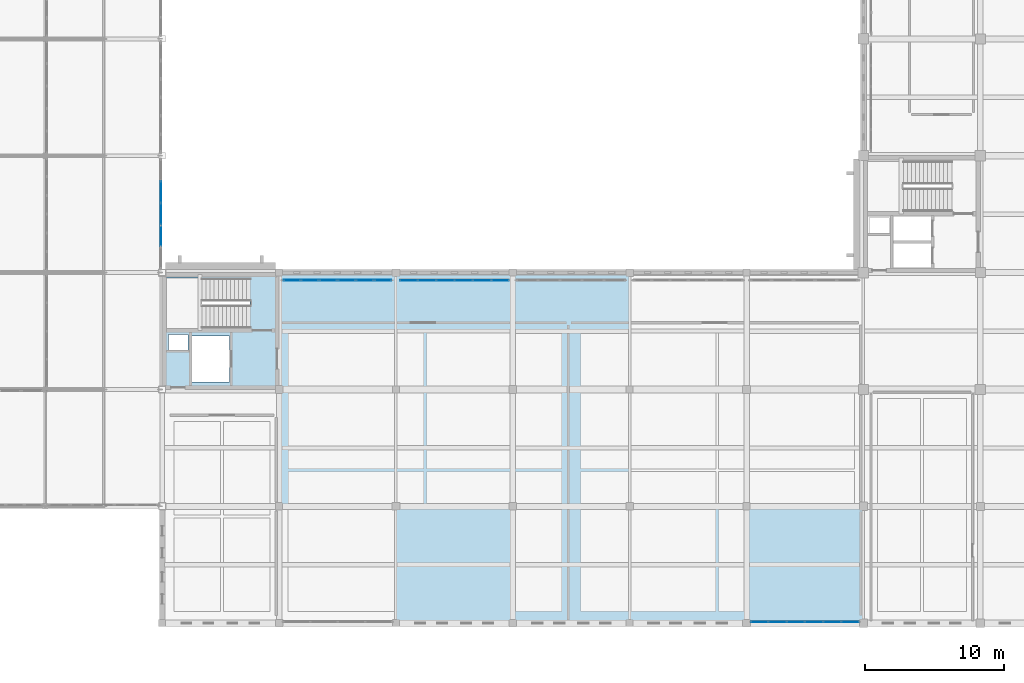
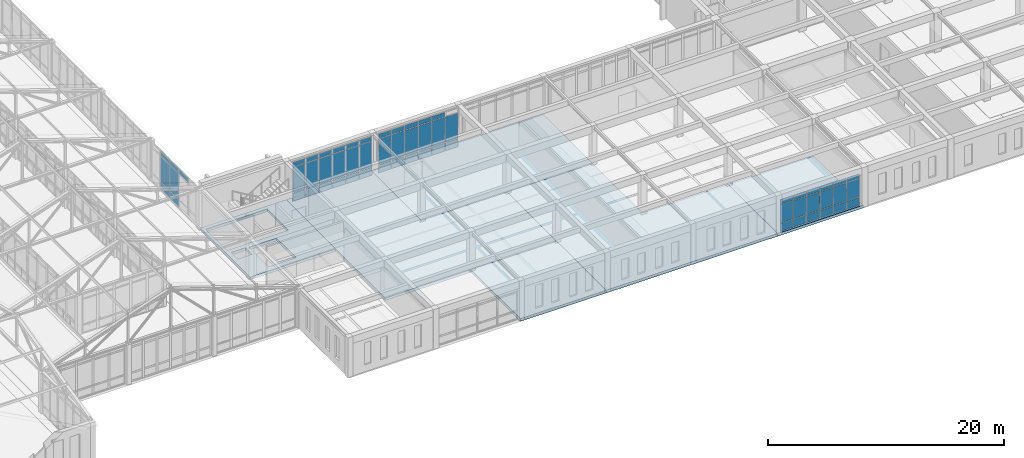
# One storey, part 116 of 192: 60 plates, 6 slabs, 4 elements without a shape of their own.
"""IFC4 building model written with IfcOpenShell, lengths in metres."""

import ifcopenshell
import ifcopenshell.guid

model = None  # the IFC model being written
_history = None  # IfcOwnerHistory: only IFC2X3 demands one
_inside = {}  # id of a spatial element -> (the spatial element, [elements in it])
_under = {}  # id of a project, library or spatial element -> (it, [spatial elements below it])
_declared = {}  # id of a project -> (the project, [libraries it declares])
_typed = {}  # id of a type object -> (the type object, [elements of that type])
_made_of = {}  # id of a material, layer set ... -> (it, [elements and type objects made of it])


def new_model(schema):
    """Start an empty IFC model of exactly this schema.

    Asked for "IFC4X3", IfcOpenShell would pick the latest addendum, in which some entities
    have other attributes; the version numbers below select the first issue.
    IFC2X3 requires an IfcOwnerHistory on every rooted entity: one is made here for all.
    """
    global model, _history
    if schema == "IFC4X3":
        model = ifcopenshell.file(schema_version=(4, 3, 0, 0))
    else:
        model = ifcopenshell.file(schema=schema)
    _inside.clear()
    _under.clear()
    _declared.clear()
    _typed.clear()
    _made_of.clear()
    _history = None
    if model.schema == "IFC2X3":
        org = make("IfcOrganization", Name="unknown")
        user = make(
            "IfcPersonAndOrganization",
            ThePerson=make("IfcPerson", FamilyName="unknown"),
            TheOrganization=org,
        )
        app = make(
            "IfcApplication",
            ApplicationDeveloper=org,
            Version="unknown",
            ApplicationFullName="unknown",
            ApplicationIdentifier="unknown",
        )
        _history = make(
            "IfcOwnerHistory",
            OwningUser=user,
            OwningApplication=app,
            ChangeAction="ADDED",
            CreationDate=0,
        )
    return model


def make(cls, **values):
    """One entity of the class cls with the attributes given. An attribute that is None is left unset."""
    return model.create_entity(
        cls, **{name: value for name, value in values.items() if value is not None}
    )


def rooted(cls, **values):
    """An entity with a GlobalId (a new one), such as an element, a storey or a relation."""
    return make(cls, GlobalId=ifcopenshell.guid.new(), OwnerHistory=_history, **values)


def si_unit(unit_type, name, prefix=None):
    """IfcSIUnit, for example si_unit("LENGTHUNIT", "METRE", prefix="MILLI")."""
    return make("IfcSIUnit", UnitType=unit_type, Prefix=prefix, Name=name)


def assignment(units):
    """IfcUnitAssignment: the units of a project."""
    return None if units is None else make("IfcUnitAssignment", Units=units)


def point(xyz):
    """IfcCartesianPoint."""
    return None if xyz is None else make("IfcCartesianPoint", Coordinates=xyz)


def direction(xyz):
    """IfcDirection."""
    return None if xyz is None else make("IfcDirection", DirectionRatios=xyz)


def frame(location, z_axis=None, x_axis=None):
    """IfcAxis2Placement3D, a coordinate frame: its origin and axes. An axis left out is left unset."""
    return make(
        "IfcAxis2Placement3D",
        Location=point(location),
        Axis=direction(z_axis),
        RefDirection=direction(x_axis),
    )


def frame_2d(location, x_axis=None):
    """IfcAxis2Placement2D, a coordinate frame in the plane: its origin and x axis."""
    return make(
        "IfcAxis2Placement2D", Location=point(location), RefDirection=direction(x_axis)
    )


def origin():
    """The frame at (0, 0, 0) with its axes left unset."""
    return frame((0.0, 0.0, 0.0))


def origin_2d():
    """The frame at (0, 0) in the plane with its x axis left unset."""
    return frame_2d((0.0, 0.0))


def place(relative_to, where):
    """IfcLocalPlacement: puts the frame where relative to a parent placement (None: the world)."""
    return make(
        "IfcLocalPlacement", PlacementRelTo=relative_to, RelativePlacement=where
    )


def context(
    kind, dimensions, precision=None, world=None, true_north=None, identifier=None
):
    """IfcGeometricRepresentationContext, for example the 3D "Model" context."""
    return make(
        "IfcGeometricRepresentationContext",
        ContextIdentifier=identifier,
        ContextType=kind,
        CoordinateSpaceDimension=dimensions,
        Precision=precision,
        WorldCoordinateSystem=world,
        TrueNorth=true_north,
    )


def subcontext(parent, identifier, kind, view, scale=None):
    """IfcGeometricRepresentationSubContext, for example "Body" below "Model"."""
    return make(
        "IfcGeometricRepresentationSubContext",
        ContextIdentifier=identifier,
        ContextType=kind,
        ParentContext=parent,
        TargetScale=scale,
        TargetView=view,
    )


def project(units=None, contexts=None):
    """IfcProject with its units and contexts."""
    return rooted(
        "IfcProject",
        Name="project",
        RepresentationContexts=contexts,
        UnitsInContext=assignment(units),
    )


def spatial(cls, under=None, at=None, **own):
    """A site, building, storey or space (cls), placed at a placement, below another one or the project."""
    s = rooted(cls, ObjectPlacement=at, **own)
    if under is not None:
        _under.setdefault(under.id(), (under, []))[1].append(s)
    return s


def polyline(points):
    """IfcPolyline through the points."""
    return make("IfcPolyline", Points=[point(p) for p in points])


def profile(cls, at=None, kind="AREA", **sizes):
    """A parametric profile (cls). Its sizes go by their IFC names, for example OverallWidth=200.0."""
    return make(cls, ProfileType=kind, Position=at, **sizes)


def rectangle(**sizes):
    """IfcRectangleProfileDef."""
    return profile("IfcRectangleProfileDef", **sizes)


def outline(outer, holes=None, kind="AREA"):
    """IfcArbitraryClosedProfileDef: a profile drawn as a closed curve; with holes, ...WithVoids."""
    if holes is None:
        return make("IfcArbitraryClosedProfileDef", ProfileType=kind, OuterCurve=outer)
    return make(
        "IfcArbitraryProfileDefWithVoids",
        ProfileType=kind,
        OuterCurve=outer,
        InnerCurves=holes,
    )


def extrude(swept, where, along, depth):
    """IfcExtrudedAreaSolid: the profile swept, set in the frame where, extruded along a direction by depth."""
    return make(
        "IfcExtrudedAreaSolid",
        SweptArea=swept,
        Position=where,
        ExtrudedDirection=direction(along),
        Depth=depth,
    )


def shape(context_of_items, identifier, shape_type, items):
    """IfcShapeRepresentation: the items that make up one representation, for example the "Body"."""
    return make(
        "IfcShapeRepresentation",
        ContextOfItems=context_of_items,
        RepresentationIdentifier=identifier,
        RepresentationType=shape_type,
        Items=items,
    )


def material(Name=None, Category=None):
    """IfcMaterial."""
    return make("IfcMaterial", Name=Name, Category=Category)


def layer(
    of_material, thickness, ventilated=None, Name=None, Category=None, Priority=None
):
    """IfcMaterialLayer: one layer of a wall or slab, of a material (None: an air gap)."""
    return make(
        "IfcMaterialLayer",
        Material=of_material,
        LayerThickness=thickness,
        IsVentilated=ventilated,
        Name=Name,
        Category=Category,
        Priority=Priority,
    )


def layer_set(layers, Name=None):
    """IfcMaterialLayerSet."""
    return make("IfcMaterialLayerSet", MaterialLayers=layers, LayerSetName=Name)


def made_of(thing, what):
    """Note that an element or type object is made of a material, layer set ...; save() writes the relation."""
    if what is not None:
        _made_of.setdefault(what.id(), (what, []))[1].append(thing)
    return thing


def type_object(cls, material=None, **own):
    """A type object (cls), such as IfcWallType, which elements share."""
    return made_of(rooted(cls, **own), material)


def element(
    cls,
    number,
    at=None,
    inside=None,
    cuts=None,
    type_object=None,
    material=None,
    context=None,
    identifier="Body",
    shape_type=None,
    held_by="IfcProductDefinitionShape",
    body=None,
    shapes=None,
    **own,
):
    """One element of the class cls, such as IfcWall. Its Tag is "e" and its number.

    at: its placement. inside: the storey or other place that contains it. cuts: it is an
    opening in that element (IfcRelVoidsElement). A single representation is given by context,
    identifier, shape_type and body (its items); several are given by shapes. held_by: the class
    of the entity that holds the representations. save() writes the other relations.
    """
    e = rooted(cls, Tag="e%d" % number, ObjectPlacement=at, **own)
    if body is not None:
        shapes = [shape(context, identifier, shape_type, body)]
    if shapes is not None:
        e.Representation = make(held_by, Representations=shapes)
    if inside is not None:
        _inside.setdefault(inside.id(), (inside, []))[1].append(e)
    if cuts is not None:
        rooted(
            "IfcRelVoidsElement", RelatingBuildingElement=cuts, RelatedOpeningElement=e
        )
    if type_object is not None:
        _typed.setdefault(type_object.id(), (type_object, []))[1].append(e)
    return made_of(e, material)


def aggregate(whole, parts):
    """IfcRelAggregates: a whole, such as a stair, and the parts it consists of."""
    return rooted("IfcRelAggregates", RelatingObject=whole, RelatedObjects=parts)


def save(model, path):
    """Write the relations noted so far, then the file.

    IfcRelAggregates (storeys below a building ...), IfcRelContainedInSpatialStructure (elements
    in a storey), IfcRelDefinesByType, IfcRelAssociatesMaterial and IfcRelDeclares: one each for
    every whole, place, type object, material and project.
    """
    for whole, parts in _under.values():
        aggregate(whole, parts)
    for where, things in _inside.values():
        rooted(
            "IfcRelContainedInSpatialStructure",
            RelatedElements=things,
            RelatingStructure=where,
        )
    for kind, things in _typed.values():
        rooted("IfcRelDefinesByType", RelatedObjects=things, RelatingType=kind)
    for what, things in _made_of.values():
        rooted("IfcRelAssociatesMaterial", RelatedObjects=things, RelatingMaterial=what)
    for by, libraries in _declared.values():
        rooted("IfcRelDeclares", RelatingContext=by, RelatedDefinitions=libraries)
    model.write(path)


model = new_model("IFC4")

# Units and contexts
model_context = context("Model", 3, precision=1e-05, world=origin(), true_north=direction((0.0, 1.0)))
body_context = subcontext(model_context, "Body", "Model", "MODEL_VIEW")
ifc_project = project(units=[si_unit("LENGTHUNIT", "METRE"), si_unit("AREAUNIT", "SQUARE_METRE"), si_unit("VOLUMEUNIT", "CUBIC_METRE"), si_unit("PLANEANGLEUNIT", "RADIAN"), si_unit("MASSUNIT", "GRAM", prefix="KILO")], contexts=[model_context])

# Site, building, storey
site_placement = place(None, origin())
site = spatial("IfcSite", under=ifc_project, at=site_placement, CompositionType="ELEMENT")
building_placement = place(site_placement, origin())
building = spatial("IfcBuilding", under=site, at=building_placement, Name="Kveldsbrygga Polytechnic", CompositionType="ELEMENT")
storey_placement = place(building_placement, frame((0.0, 0.0, 5.43994140625)))
storey = spatial("IfcBuildingStorey", under=building, at=storey_placement, Name="L01", CompositionType="ELEMENT", Elevation=5.43994140625)

# Curtain wall, plates
ifc_material_1 = material(Name="Anodised aluminium AW-6060", Category="aluminium")
ifc_layer_1 = layer(ifc_material_1, 0.18994140625)
ifc_layer_set_1 = layer_set([ifc_layer_1], Name="Anodised aluminium AW-6060")
curtain_wall_type_1 = type_object("IfcCurtainWallType", Name="CW-REFC-G", PredefinedType="USERDEFINED", material=ifc_layer_set_1)
curtain_wall_1_placement = place(storey_placement, origin())
curtain_wall_1 = element("IfcCurtainWall", 1, at=curtain_wall_1_placement, inside=storey, type_object=curtain_wall_type_1, Name="Curtain Wall CW-L01-Y-09-03", ObjectType="UNITISED CURTAIN WALL", PredefinedType="USERDEFINED")
ifc_material_2 = material(Name="Insulated triple low-E glass", Category="glass")
ifc_layer_2 = layer(ifc_material_2, 0.035888671875)
ifc_layer_set_2 = layer_set([ifc_layer_2], Name="Insulated triple low-E glass")
plate_type_1 = type_object("IfcPlateType", Name="CW-PAN-VIS36", PredefinedType="CURTAIN_PANEL", material=ifc_layer_set_2)
plate_1_placement = place(storey_placement, frame((75.5, 27.83447265625, 3.60009765625), z_axis=(0.0, 0.0, 1.0), x_axis=(0.0, 1.0, 0.0)))
plate_1 = element("IfcPlate", 2, at=plate_1_placement, type_object=plate_type_1, Name="CW-07 panel 2.3", PredefinedType="CURTAIN_PANEL", context=body_context, shape_type="SweptSolid", body=[
    extrude(rectangle(XDim=1.508056640625, YDim=0.035888671875, at=origin_2d()), origin(), (0.0, 0.0, 1.0), 0.4599609375),
])
plate_2_placement = place(storey_placement, frame((75.5, 29.41748046875, 0.06005859375), z_axis=(0.0, 0.0, 1.0), x_axis=(0.0, 1.0, 0.0)))
plate_2 = element("IfcPlate", 3, at=plate_2_placement, type_object=plate_type_1, Name="CW-07 panel 3.1", PredefinedType="CURTAIN_PANEL", context=body_context, shape_type="SweptSolid", body=[
    extrude(rectangle(XDim=1.508056640625, YDim=0.035888671875, at=origin_2d()), origin(), (0.0, 0.0, 1.0), 0.81005859375),
])
plate_3_placement = place(storey_placement, frame((75.5, 29.41748046875, 0.93017578125), z_axis=(0.0, 0.0, 1.0), x_axis=(0.0, 1.0, 0.0)))
plate_3 = element("IfcPlate", 4, at=plate_3_placement, type_object=plate_type_1, Name="CW-07 panel 3.2", PredefinedType="CURTAIN_PANEL", context=body_context, shape_type="SweptSolid", body=[
    extrude(rectangle(XDim=1.508056640625, YDim=0.035888671875, at=origin_2d()), origin(), (0.0, 0.0, 1.0), 2.610107421875),
])
plate_4_placement = place(storey_placement, frame((75.5, 29.41748046875, 3.60009765625), z_axis=(0.0, 0.0, 1.0), x_axis=(0.0, 1.0, 0.0)))
plate_4 = element("IfcPlate", 5, at=plate_4_placement, type_object=plate_type_1, Name="CW-07 panel 3.3", PredefinedType="CURTAIN_PANEL", context=body_context, shape_type="SweptSolid", body=[
    extrude(rectangle(XDim=1.508056640625, YDim=0.035888671875, at=origin_2d()), origin(), (0.0, 0.0, 1.0), 0.4599609375),
])
plate_5_placement = place(storey_placement, frame((75.5, 31.00048828125, 0.06005859375), z_axis=(0.0, 0.0, 1.0), x_axis=(0.0, 1.0, 0.0)))
plate_5 = element("IfcPlate", 6, at=plate_5_placement, type_object=plate_type_1, Name="CW-07 panel 4.1", PredefinedType="CURTAIN_PANEL", context=body_context, shape_type="SweptSolid", body=[
    extrude(rectangle(XDim=1.508056640625, YDim=0.035888671875, at=origin_2d()), origin(), (0.0, 0.0, 1.0), 0.81005859375),
])
plate_6_placement = place(storey_placement, frame((75.5, 31.00048828125, 0.93017578125), z_axis=(0.0, 0.0, 1.0), x_axis=(0.0, 1.0, 0.0)))
plate_6 = element("IfcPlate", 7, at=plate_6_placement, type_object=plate_type_1, Name="CW-07 panel 4.2", PredefinedType="CURTAIN_PANEL", context=body_context, shape_type="SweptSolid", body=[
    extrude(rectangle(XDim=1.508056640625, YDim=0.035888671875, at=origin_2d()), origin(), (0.0, 0.0, 1.0), 2.610107421875),
])
plate_7_placement = place(storey_placement, frame((75.5, 31.00048828125, 3.60009765625), z_axis=(0.0, 0.0, 1.0), x_axis=(0.0, 1.0, 0.0)))
plate_7 = element("IfcPlate", 8, at=plate_7_placement, type_object=plate_type_1, Name="CW-07 panel 4.3", PredefinedType="CURTAIN_PANEL", context=body_context, shape_type="SweptSolid", body=[
    extrude(rectangle(XDim=1.508056640625, YDim=0.035888671875, at=origin_2d()), origin(), (0.0, 0.0, 1.0), 0.4599609375),
])
aggregate(curtain_wall_1, [plate_1, plate_2, plate_3, plate_4, plate_5, plate_6, plate_7])

ifc_layer_3 = layer(ifc_material_1, 0.179931640625)
ifc_layer_set_3 = layer_set([ifc_layer_3], Name="Anodised aluminium AW-6060")
curtain_wall_type_2 = type_object("IfcCurtainWallType", Name="CW-CONC-A", PredefinedType="USERDEFINED", material=ifc_layer_set_3)
curtain_wall_2_placement = place(storey_placement, origin())
curtain_wall_2 = element("IfcCurtainWall", 9, at=curtain_wall_2_placement, inside=storey, type_object=curtain_wall_type_2, Name="Curtain Wall CW-L01-X-11-03", ObjectType="UNITISED CURTAIN WALL", PredefinedType="USERDEFINED")
plate_8_placement = place(storey_placement, frame((93.3330078125, 24.64990234375, 0.06005859375), z_axis=(0.0, 0.0, 1.0), x_axis=(1.0, 0.0, 0.0)))
plate_8 = element("IfcPlate", 10, at=plate_8_placement, type_object=plate_type_1, Name="CW-01 panel 1.1", PredefinedType="CURTAIN_PANEL", context=body_context, shape_type="SweptSolid", body=[
    extrude(rectangle(XDim=1.225830078125, YDim=0.035888671875, at=origin_2d()), origin(), (0.0, 0.0, 1.0), 0.81005859375),
])
plate_9_placement = place(storey_placement, frame((93.3330078125, 24.64990234375, 0.93017578125), z_axis=(0.0, 0.0, 1.0), x_axis=(1.0, 0.0, 0.0)))
plate_9 = element("IfcPlate", 11, at=plate_9_placement, type_object=plate_type_1, Name="CW-01 panel 1.2", PredefinedType="CURTAIN_PANEL", context=body_context, shape_type="SweptSolid", body=[
    extrude(rectangle(XDim=1.225830078125, YDim=0.035888671875, at=origin_2d()), origin(), (0.0, 0.0, 1.0), 2.610107421875),
])
plate_10_placement = place(storey_placement, frame((93.3330078125, 24.64990234375, 3.60009765625), z_axis=(0.0, 0.0, 1.0), x_axis=(1.0, 0.0, 0.0)))
plate_10 = element("IfcPlate", 12, at=plate_10_placement, type_object=plate_type_1, Name="CW-01 panel 1.3", PredefinedType="CURTAIN_PANEL", context=body_context, shape_type="SweptSolid", body=[
    extrude(rectangle(XDim=1.225830078125, YDim=0.035888671875, at=origin_2d()), origin(), (0.0, 0.0, 1.0), 0.4599609375),
])
plate_11_placement = place(storey_placement, frame((94.6337890625, 24.64990234375, 0.06005859375), z_axis=(0.0, 0.0, 1.0), x_axis=(1.0, 0.0, 0.0)))
plate_11 = element("IfcPlate", 13, at=plate_11_placement, type_object=plate_type_1, Name="CW-01 panel 2.1", PredefinedType="CURTAIN_PANEL", context=body_context, shape_type="SweptSolid", body=[
    extrude(rectangle(XDim=1.255859375, YDim=0.035888671875, at=origin_2d()), origin(), (0.0, 0.0, 1.0), 0.81005859375),
])
plate_12_placement = place(storey_placement, frame((94.6337890625, 24.64990234375, 0.93017578125), z_axis=(0.0, 0.0, 1.0), x_axis=(1.0, 0.0, 0.0)))
plate_12 = element("IfcPlate", 14, at=plate_12_placement, type_object=plate_type_1, Name="CW-01 panel 2.2", PredefinedType="CURTAIN_PANEL", context=body_context, shape_type="SweptSolid", body=[
    extrude(rectangle(XDim=1.255859375, YDim=0.035888671875, at=origin_2d()), origin(), (0.0, 0.0, 1.0), 2.610107421875),
])
plate_13_placement = place(storey_placement, frame((94.6337890625, 24.64990234375, 3.60009765625), z_axis=(0.0, 0.0, 1.0), x_axis=(1.0, 0.0, 0.0)))
plate_13 = element("IfcPlate", 15, at=plate_13_placement, type_object=plate_type_1, Name="CW-01 panel 2.3", PredefinedType="CURTAIN_PANEL", context=body_context, shape_type="SweptSolid", body=[
    extrude(rectangle(XDim=1.255859375, YDim=0.035888671875, at=origin_2d()), origin(), (0.0, 0.0, 1.0), 0.4599609375),
])
plate_14_placement = place(storey_placement, frame((95.949462890625, 24.64990234375, 0.06005859375), z_axis=(0.0, 0.0, 1.0), x_axis=(1.0, 0.0, 0.0)))
plate_14 = element("IfcPlate", 16, at=plate_14_placement, type_object=plate_type_1, Name="CW-01 panel 3.1", PredefinedType="CURTAIN_PANEL", context=body_context, shape_type="SweptSolid", body=[
    extrude(rectangle(XDim=1.255859375, YDim=0.035888671875, at=origin_2d()), origin(), (0.0, 0.0, 1.0), 0.81005859375),
])
plate_15_placement = place(storey_placement, frame((95.949462890625, 24.64990234375, 0.93017578125), z_axis=(0.0, 0.0, 1.0), x_axis=(1.0, 0.0, 0.0)))
plate_15 = element("IfcPlate", 17, at=plate_15_placement, type_object=plate_type_1, Name="CW-01 panel 3.2", PredefinedType="CURTAIN_PANEL", context=body_context, shape_type="SweptSolid", body=[
    extrude(rectangle(XDim=1.255859375, YDim=0.035888671875, at=origin_2d()), origin(), (0.0, 0.0, 1.0), 2.610107421875),
])
plate_16_placement = place(storey_placement, frame((95.949462890625, 24.64990234375, 3.60009765625), z_axis=(0.0, 0.0, 1.0), x_axis=(1.0, 0.0, 0.0)))
plate_16 = element("IfcPlate", 18, at=plate_16_placement, type_object=plate_type_1, Name="CW-01 panel 3.3", PredefinedType="CURTAIN_PANEL", context=body_context, shape_type="SweptSolid", body=[
    extrude(rectangle(XDim=1.255859375, YDim=0.035888671875, at=origin_2d()), origin(), (0.0, 0.0, 1.0), 0.4599609375),
])
plate_17_placement = place(storey_placement, frame((97.265380859375, 24.64990234375, 0.06005859375), z_axis=(0.0, 0.0, 1.0), x_axis=(1.0, 0.0, 0.0)))
plate_17 = element("IfcPlate", 19, at=plate_17_placement, type_object=plate_type_1, Name="CW-01 panel 4.1", PredefinedType="CURTAIN_PANEL", context=body_context, shape_type="SweptSolid", body=[
    extrude(rectangle(XDim=1.255859375, YDim=0.035888671875, at=origin_2d()), origin(), (0.0, 0.0, 1.0), 0.81005859375),
])
plate_18_placement = place(storey_placement, frame((97.265380859375, 24.64990234375, 0.93017578125), z_axis=(0.0, 0.0, 1.0), x_axis=(1.0, 0.0, 0.0)))
plate_18 = element("IfcPlate", 20, at=plate_18_placement, type_object=plate_type_1, Name="CW-01 panel 4.2", PredefinedType="CURTAIN_PANEL", context=body_context, shape_type="SweptSolid", body=[
    extrude(rectangle(XDim=1.255859375, YDim=0.035888671875, at=origin_2d()), origin(), (0.0, 0.0, 1.0), 2.610107421875),
])
plate_19_placement = place(storey_placement, frame((97.265380859375, 24.64990234375, 3.60009765625), z_axis=(0.0, 0.0, 1.0), x_axis=(1.0, 0.0, 0.0)))
plate_19 = element("IfcPlate", 21, at=plate_19_placement, type_object=plate_type_1, Name="CW-01 panel 4.3", PredefinedType="CURTAIN_PANEL", context=body_context, shape_type="SweptSolid", body=[
    extrude(rectangle(XDim=1.255859375, YDim=0.035888671875, at=origin_2d()), origin(), (0.0, 0.0, 1.0), 0.4599609375),
])
plate_20_placement = place(storey_placement, frame((98.581298828125, 24.64990234375, 0.06005859375), z_axis=(0.0, 0.0, 1.0), x_axis=(1.0, 0.0, 0.0)))
plate_20 = element("IfcPlate", 22, at=plate_20_placement, type_object=plate_type_1, Name="CW-01 panel 5.1", PredefinedType="CURTAIN_PANEL", context=body_context, shape_type="SweptSolid", body=[
    extrude(rectangle(XDim=1.255859375, YDim=0.035888671875, at=origin_2d()), origin(), (0.0, 0.0, 1.0), 0.81005859375),
])
plate_21_placement = place(storey_placement, frame((98.581298828125, 24.64990234375, 0.93017578125), z_axis=(0.0, 0.0, 1.0), x_axis=(1.0, 0.0, 0.0)))
plate_21 = element("IfcPlate", 23, at=plate_21_placement, type_object=plate_type_1, Name="CW-01 panel 5.2", PredefinedType="CURTAIN_PANEL", context=body_context, shape_type="SweptSolid", body=[
    extrude(rectangle(XDim=1.255859375, YDim=0.035888671875, at=origin_2d()), origin(), (0.0, 0.0, 1.0), 2.610107421875),
])
plate_22_placement = place(storey_placement, frame((98.581298828125, 24.64990234375, 3.60009765625), z_axis=(0.0, 0.0, 1.0), x_axis=(1.0, 0.0, 0.0)))
plate_22 = element("IfcPlate", 24, at=plate_22_placement, type_object=plate_type_1, Name="CW-01 panel 5.3", PredefinedType="CURTAIN_PANEL", context=body_context, shape_type="SweptSolid", body=[
    extrude(rectangle(XDim=1.255859375, YDim=0.035888671875, at=origin_2d()), origin(), (0.0, 0.0, 1.0), 0.4599609375),
])
plate_23_placement = place(storey_placement, frame((99.882080078125, 24.64990234375, 0.06005859375), z_axis=(0.0, 0.0, 1.0), x_axis=(1.0, 0.0, 0.0)))
plate_23 = element("IfcPlate", 25, at=plate_23_placement, type_object=plate_type_1, Name="CW-01 panel 6.1", PredefinedType="CURTAIN_PANEL", context=body_context, shape_type="SweptSolid", body=[
    extrude(rectangle(XDim=1.225830078125, YDim=0.035888671875, at=origin_2d()), origin(), (0.0, 0.0, 1.0), 0.81005859375),
])
plate_24_placement = place(storey_placement, frame((99.882080078125, 24.64990234375, 0.93017578125), z_axis=(0.0, 0.0, 1.0), x_axis=(1.0, 0.0, 0.0)))
plate_24 = element("IfcPlate", 26, at=plate_24_placement, type_object=plate_type_1, Name="CW-01 panel 6.2", PredefinedType="CURTAIN_PANEL", context=body_context, shape_type="SweptSolid", body=[
    extrude(rectangle(XDim=1.225830078125, YDim=0.035888671875, at=origin_2d()), origin(), (0.0, 0.0, 1.0), 2.610107421875),
])
aggregate(curtain_wall_2, [plate_8, plate_9, plate_10, plate_11, plate_12, plate_13, plate_14, plate_15, plate_16, plate_17, plate_18, plate_19, plate_20, plate_21, plate_22, plate_23, plate_24])

curtain_wall_3_placement = place(storey_placement, origin())
curtain_wall_3 = element("IfcCurtainWall", 27, at=curtain_wall_3_placement, inside=storey, type_object=curtain_wall_type_2, Name="Curtain Wall CW-L01-X-14-00", ObjectType="UNITISED CURTAIN WALL", PredefinedType="USERDEFINED")
plate_25_placement = place(storey_placement, frame((118.530517578125, 0.10009765625, 0.06005859375), z_axis=(0.0, 0.0, 1.0), x_axis=(1.0, 0.0, 0.0)))
plate_25 = element("IfcPlate", 28, at=plate_25_placement, type_object=plate_type_1, Name="CW-01 panel 1.1", PredefinedType="CURTAIN_PANEL", context=body_context, shape_type="SweptSolid", body=[
    extrude(rectangle(XDim=1.220947265625, YDim=0.035888671875, at=origin_2d()), origin(), (0.0, 0.0, 1.0), 0.81005859375),
])
plate_26_placement = place(storey_placement, frame((118.530517578125, 0.10009765625, 0.929931640625), z_axis=(0.0, 0.0, 1.0), x_axis=(1.0, 0.0, 0.0)))
plate_26 = element("IfcPlate", 29, at=plate_26_placement, type_object=plate_type_1, Name="CW-01 panel 1.2", PredefinedType="CURTAIN_PANEL", context=body_context, shape_type="SweptSolid", body=[
    extrude(rectangle(XDim=1.220947265625, YDim=0.035888671875, at=origin_2d()), origin(), (0.0, 0.0, 1.0), 1.8701171875),
])
plate_27_placement = place(storey_placement, frame((118.530517578125, 0.10009765625, 2.860107421875), z_axis=(0.0, 0.0, 1.0), x_axis=(1.0, 0.0, 0.0)))
plate_27 = element("IfcPlate", 30, at=plate_27_placement, type_object=plate_type_1, Name="CW-01 panel 1.3", PredefinedType="CURTAIN_PANEL", context=body_context, shape_type="SweptSolid", body=[
    extrude(rectangle(XDim=1.220947265625, YDim=0.035888671875, at=origin_2d()), origin(), (0.0, 0.0, 1.0), 0.4599609375),
])
plate_28_placement = place(storey_placement, frame((119.826171875, 0.10009765625, 0.06005859375), z_axis=(0.0, 0.0, 1.0), x_axis=(1.0, 0.0, 0.0)))
plate_28 = element("IfcPlate", 31, at=plate_28_placement, type_object=plate_type_1, Name="CW-01 panel 2.1", PredefinedType="CURTAIN_PANEL", context=body_context, shape_type="SweptSolid", body=[
    extrude(rectangle(XDim=1.250732421875, YDim=0.035888671875, at=origin_2d()), origin(), (0.0, 0.0, 1.0), 0.81005859375),
])
plate_29_placement = place(storey_placement, frame((119.826171875, 0.10009765625, 0.929931640625), z_axis=(0.0, 0.0, 1.0), x_axis=(1.0, 0.0, 0.0)))
plate_29 = element("IfcPlate", 32, at=plate_29_placement, type_object=plate_type_1, Name="CW-01 panel 2.2", PredefinedType="CURTAIN_PANEL", context=body_context, shape_type="SweptSolid", body=[
    extrude(rectangle(XDim=1.250732421875, YDim=0.035888671875, at=origin_2d()), origin(), (0.0, 0.0, 1.0), 1.8701171875),
])
plate_30_placement = place(storey_placement, frame((119.826171875, 0.10009765625, 2.860107421875), z_axis=(0.0, 0.0, 1.0), x_axis=(1.0, 0.0, 0.0)))
plate_30 = element("IfcPlate", 33, at=plate_30_placement, type_object=plate_type_1, Name="CW-01 panel 2.3", PredefinedType="CURTAIN_PANEL", context=body_context, shape_type="SweptSolid", body=[
    extrude(rectangle(XDim=1.250732421875, YDim=0.035888671875, at=origin_2d()), origin(), (0.0, 0.0, 1.0), 0.4599609375),
])
plate_31_placement = place(storey_placement, frame((121.136962890625, 0.10009765625, 0.06005859375), z_axis=(0.0, 0.0, 1.0), x_axis=(1.0, 0.0, 0.0)))
plate_31 = element("IfcPlate", 34, at=plate_31_placement, type_object=plate_type_1, Name="CW-01 panel 3.1", PredefinedType="CURTAIN_PANEL", context=body_context, shape_type="SweptSolid", body=[
    extrude(rectangle(XDim=1.250732421875, YDim=0.035888671875, at=origin_2d()), origin(), (0.0, 0.0, 1.0), 0.81005859375),
])
plate_32_placement = place(storey_placement, frame((121.136962890625, 0.10009765625, 0.929931640625), z_axis=(0.0, 0.0, 1.0), x_axis=(1.0, 0.0, 0.0)))
plate_32 = element("IfcPlate", 35, at=plate_32_placement, type_object=plate_type_1, Name="CW-01 panel 3.2", PredefinedType="CURTAIN_PANEL", context=body_context, shape_type="SweptSolid", body=[
    extrude(rectangle(XDim=1.250732421875, YDim=0.035888671875, at=origin_2d()), origin(), (0.0, 0.0, 1.0), 1.8701171875),
])
plate_33_placement = place(storey_placement, frame((121.136962890625, 0.10009765625, 2.860107421875), z_axis=(0.0, 0.0, 1.0), x_axis=(1.0, 0.0, 0.0)))
plate_33 = element("IfcPlate", 36, at=plate_33_placement, type_object=plate_type_1, Name="CW-01 panel 3.3", PredefinedType="CURTAIN_PANEL", context=body_context, shape_type="SweptSolid", body=[
    extrude(rectangle(XDim=1.250732421875, YDim=0.035888671875, at=origin_2d()), origin(), (0.0, 0.0, 1.0), 0.4599609375),
])
plate_34_placement = place(storey_placement, frame((122.447998046875, 0.10009765625, 0.06005859375), z_axis=(0.0, 0.0, 1.0), x_axis=(1.0, 0.0, 0.0)))
plate_34 = element("IfcPlate", 37, at=plate_34_placement, type_object=plate_type_1, Name="CW-01 panel 4.1", PredefinedType="CURTAIN_PANEL", context=body_context, shape_type="SweptSolid", body=[
    extrude(rectangle(XDim=1.250732421875, YDim=0.035888671875, at=origin_2d()), origin(), (0.0, 0.0, 1.0), 0.81005859375),
])
plate_35_placement = place(storey_placement, frame((122.447998046875, 0.10009765625, 0.929931640625), z_axis=(0.0, 0.0, 1.0), x_axis=(1.0, 0.0, 0.0)))
plate_35 = element("IfcPlate", 38, at=plate_35_placement, type_object=plate_type_1, Name="CW-01 panel 4.2", PredefinedType="CURTAIN_PANEL", context=body_context, shape_type="SweptSolid", body=[
    extrude(rectangle(XDim=1.250732421875, YDim=0.035888671875, at=origin_2d()), origin(), (0.0, 0.0, 1.0), 1.8701171875),
])
plate_36_placement = place(storey_placement, frame((122.447998046875, 0.10009765625, 2.860107421875), z_axis=(0.0, 0.0, 1.0), x_axis=(1.0, 0.0, 0.0)))
plate_36 = element("IfcPlate", 39, at=plate_36_placement, type_object=plate_type_1, Name="CW-01 panel 4.3", PredefinedType="CURTAIN_PANEL", context=body_context, shape_type="SweptSolid", body=[
    extrude(rectangle(XDim=1.250732421875, YDim=0.035888671875, at=origin_2d()), origin(), (0.0, 0.0, 1.0), 0.4599609375),
])
plate_37_placement = place(storey_placement, frame((123.7587890625, 0.10009765625, 0.06005859375), z_axis=(0.0, 0.0, 1.0), x_axis=(1.0, 0.0, 0.0)))
plate_37 = element("IfcPlate", 40, at=plate_37_placement, type_object=plate_type_1, Name="CW-01 panel 5.1", PredefinedType="CURTAIN_PANEL", context=body_context, shape_type="SweptSolid", body=[
    extrude(rectangle(XDim=1.250732421875, YDim=0.035888671875, at=origin_2d()), origin(), (0.0, 0.0, 1.0), 0.81005859375),
])
plate_38_placement = place(storey_placement, frame((123.7587890625, 0.10009765625, 0.929931640625), z_axis=(0.0, 0.0, 1.0), x_axis=(1.0, 0.0, 0.0)))
plate_38 = element("IfcPlate", 41, at=plate_38_placement, type_object=plate_type_1, Name="CW-01 panel 5.2", PredefinedType="CURTAIN_PANEL", context=body_context, shape_type="SweptSolid", body=[
    extrude(rectangle(XDim=1.250732421875, YDim=0.035888671875, at=origin_2d()), origin(), (0.0, 0.0, 1.0), 1.8701171875),
])
plate_39_placement = place(storey_placement, frame((123.7587890625, 0.10009765625, 2.860107421875), z_axis=(0.0, 0.0, 1.0), x_axis=(1.0, 0.0, 0.0)))
plate_39 = element("IfcPlate", 42, at=plate_39_placement, type_object=plate_type_1, Name="CW-01 panel 5.3", PredefinedType="CURTAIN_PANEL", context=body_context, shape_type="SweptSolid", body=[
    extrude(rectangle(XDim=1.250732421875, YDim=0.035888671875, at=origin_2d()), origin(), (0.0, 0.0, 1.0), 0.4599609375),
])
plate_40_placement = place(storey_placement, frame((125.0546875, 0.10009765625, 0.06005859375), z_axis=(0.0, 0.0, 1.0), x_axis=(1.0, 0.0, 0.0)))
plate_40 = element("IfcPlate", 43, at=plate_40_placement, type_object=plate_type_1, Name="CW-01 panel 6.1", PredefinedType="CURTAIN_PANEL", context=body_context, shape_type="SweptSolid", body=[
    extrude(rectangle(XDim=1.220947265625, YDim=0.035888671875, at=origin_2d()), origin(), (0.0, 0.0, 1.0), 0.81005859375),
])
plate_41_placement = place(storey_placement, frame((125.0546875, 0.10009765625, 0.929931640625), z_axis=(0.0, 0.0, 1.0), x_axis=(1.0, 0.0, 0.0)))
plate_41 = element("IfcPlate", 44, at=plate_41_placement, type_object=plate_type_1, Name="CW-01 panel 6.2", PredefinedType="CURTAIN_PANEL", context=body_context, shape_type="SweptSolid", body=[
    extrude(rectangle(XDim=1.220947265625, YDim=0.035888671875, at=origin_2d()), origin(), (0.0, 0.0, 1.0), 1.8701171875),
])
plate_42_placement = place(storey_placement, frame((125.0546875, 0.10009765625, 2.860107421875), z_axis=(0.0, 0.0, 1.0), x_axis=(1.0, 0.0, 0.0)))
plate_42 = element("IfcPlate", 45, at=plate_42_placement, type_object=plate_type_1, Name="CW-01 panel 6.3", PredefinedType="CURTAIN_PANEL", context=body_context, shape_type="SweptSolid", body=[
    extrude(rectangle(XDim=1.220947265625, YDim=0.035888671875, at=origin_2d()), origin(), (0.0, 0.0, 1.0), 0.4599609375),
])
aggregate(curtain_wall_3, [plate_25, plate_26, plate_27, plate_28, plate_29, plate_30, plate_31, plate_32, plate_33, plate_34, plate_35, plate_36, plate_37, plate_38, plate_39, plate_40, plate_41, plate_42])

ifc_layer_4 = layer(ifc_material_1, 0.2099609375)
ifc_layer_set_4 = layer_set([ifc_layer_4], Name="Anodised aluminium AW-6060")
curtain_wall_type_3 = type_object("IfcCurtainWallType", Name="CW-LIBR-H", PredefinedType="USERDEFINED", material=ifc_layer_set_4)
curtain_wall_4_placement = place(storey_placement, origin())
curtain_wall_4 = element("IfcCurtainWall", 46, at=curtain_wall_4_placement, inside=storey, type_object=curtain_wall_type_3, Name="Curtain Wall CW-L01-X-10-03", ObjectType="UNITISED CURTAIN WALL", PredefinedType="USERDEFINED")
ifc_layer_5 = layer(ifc_material_2, 0.0419921875)
ifc_layer_set_5 = layer_set([ifc_layer_5], Name="Insulated triple low-E glass")
plate_type_2 = type_object("IfcPlateType", Name="CW-PAN-VIS42", PredefinedType="CURTAIN_PANEL", material=ifc_layer_set_5)
plate_43_placement = place(storey_placement, frame((84.921630859375, 24.64990234375, 0.06005859375), z_axis=(0.0, 0.0, 1.0), x_axis=(1.0, 0.0, 0.0)))
plate_43 = element("IfcPlate", 47, at=plate_43_placement, type_object=plate_type_2, Name="CW-08 panel 1.1", PredefinedType="CURTAIN_PANEL", context=body_context, shape_type="SweptSolid", body=[
    extrude(rectangle(XDim=1.203369140625, YDim=0.0419921875, at=origin_2d()), origin(), (0.0, 0.0, 1.0), 0.81005859375),
])
plate_44_placement = place(storey_placement, frame((84.921630859375, 24.64990234375, 0.93017578125), z_axis=(0.0, 0.0, 1.0), x_axis=(1.0, 0.0, 0.0)))
plate_44 = element("IfcPlate", 48, at=plate_44_placement, type_object=plate_type_2, Name="CW-08 panel 1.2", PredefinedType="CURTAIN_PANEL", context=body_context, shape_type="SweptSolid", body=[
    extrude(rectangle(XDim=1.203369140625, YDim=0.0419921875, at=origin_2d()), origin(), (0.0, 0.0, 1.0), 2.610107421875),
])
plate_45_placement = place(storey_placement, frame((84.921630859375, 24.64990234375, 3.60009765625), z_axis=(0.0, 0.0, 1.0), x_axis=(1.0, 0.0, 0.0)))
plate_45 = element("IfcPlate", 49, at=plate_45_placement, type_object=plate_type_2, Name="CW-08 panel 1.3", PredefinedType="CURTAIN_PANEL", context=body_context, shape_type="SweptSolid", body=[
    extrude(rectangle(XDim=1.203369140625, YDim=0.0419921875, at=origin_2d()), origin(), (0.0, 0.0, 1.0), 0.4599609375),
])
plate_46_placement = place(storey_placement, frame((86.21875, 24.64990234375, 0.06005859375), z_axis=(0.0, 0.0, 1.0), x_axis=(1.0, 0.0, 0.0)))
plate_46 = element("IfcPlate", 50, at=plate_46_placement, type_object=plate_type_2, Name="CW-08 panel 2.1", PredefinedType="CURTAIN_PANEL", context=body_context, shape_type="SweptSolid", body=[
    extrude(rectangle(XDim=1.24072265625, YDim=0.0419921875, at=origin_2d()), origin(), (0.0, 0.0, 1.0), 0.81005859375),
])
plate_47_placement = place(storey_placement, frame((86.21875, 24.64990234375, 0.93017578125), z_axis=(0.0, 0.0, 1.0), x_axis=(1.0, 0.0, 0.0)))
plate_47 = element("IfcPlate", 51, at=plate_47_placement, type_object=plate_type_2, Name="CW-08 panel 2.2", PredefinedType="CURTAIN_PANEL", context=body_context, shape_type="SweptSolid", body=[
    extrude(rectangle(XDim=1.24072265625, YDim=0.0419921875, at=origin_2d()), origin(), (0.0, 0.0, 1.0), 2.610107421875),
])
plate_48_placement = place(storey_placement, frame((86.21875, 24.64990234375, 3.60009765625), z_axis=(0.0, 0.0, 1.0), x_axis=(1.0, 0.0, 0.0)))
plate_48 = element("IfcPlate", 52, at=plate_48_placement, type_object=plate_type_2, Name="CW-08 panel 2.3", PredefinedType="CURTAIN_PANEL", context=body_context, shape_type="SweptSolid", body=[
    extrude(rectangle(XDim=1.24072265625, YDim=0.0419921875, at=origin_2d()), origin(), (0.0, 0.0, 1.0), 0.4599609375),
])
plate_49_placement = place(storey_placement, frame((87.53466796875, 24.64990234375, 0.06005859375), z_axis=(0.0, 0.0, 1.0), x_axis=(1.0, 0.0, 0.0)))
plate_49 = element("IfcPlate", 53, at=plate_49_placement, type_object=plate_type_2, Name="CW-08 panel 3.1", PredefinedType="CURTAIN_PANEL", context=body_context, shape_type="SweptSolid", body=[
    extrude(rectangle(XDim=1.24072265625, YDim=0.0419921875, at=origin_2d()), origin(), (0.0, 0.0, 1.0), 0.81005859375),
])
plate_50_placement = place(storey_placement, frame((87.53466796875, 24.64990234375, 0.93017578125), z_axis=(0.0, 0.0, 1.0), x_axis=(1.0, 0.0, 0.0)))
plate_50 = element("IfcPlate", 54, at=plate_50_placement, type_object=plate_type_2, Name="CW-08 panel 3.2", PredefinedType="CURTAIN_PANEL", context=body_context, shape_type="SweptSolid", body=[
    extrude(rectangle(XDim=1.24072265625, YDim=0.0419921875, at=origin_2d()), origin(), (0.0, 0.0, 1.0), 2.610107421875),
])
plate_51_placement = place(storey_placement, frame((87.53466796875, 24.64990234375, 3.60009765625), z_axis=(0.0, 0.0, 1.0), x_axis=(1.0, 0.0, 0.0)))
plate_51 = element("IfcPlate", 55, at=plate_51_placement, type_object=plate_type_2, Name="CW-08 panel 3.3", PredefinedType="CURTAIN_PANEL", context=body_context, shape_type="SweptSolid", body=[
    extrude(rectangle(XDim=1.24072265625, YDim=0.0419921875, at=origin_2d()), origin(), (0.0, 0.0, 1.0), 0.4599609375),
])
plate_52_placement = place(storey_placement, frame((88.850341796875, 24.64990234375, 0.06005859375), z_axis=(0.0, 0.0, 1.0), x_axis=(1.0, 0.0, 0.0)))
plate_52 = element("IfcPlate", 56, at=plate_52_placement, type_object=plate_type_2, Name="CW-08 panel 4.1", PredefinedType="CURTAIN_PANEL", context=body_context, shape_type="SweptSolid", body=[
    extrude(rectangle(XDim=1.24072265625, YDim=0.0419921875, at=origin_2d()), origin(), (0.0, 0.0, 1.0), 0.81005859375),
])
plate_53_placement = place(storey_placement, frame((88.850341796875, 24.64990234375, 0.93017578125), z_axis=(0.0, 0.0, 1.0), x_axis=(1.0, 0.0, 0.0)))
plate_53 = element("IfcPlate", 57, at=plate_53_placement, type_object=plate_type_2, Name="CW-08 panel 4.2", PredefinedType="CURTAIN_PANEL", context=body_context, shape_type="SweptSolid", body=[
    extrude(rectangle(XDim=1.24072265625, YDim=0.0419921875, at=origin_2d()), origin(), (0.0, 0.0, 1.0), 2.610107421875),
])
plate_54_placement = place(storey_placement, frame((88.850341796875, 24.64990234375, 3.60009765625), z_axis=(0.0, 0.0, 1.0), x_axis=(1.0, 0.0, 0.0)))
plate_54 = element("IfcPlate", 58, at=plate_54_placement, type_object=plate_type_2, Name="CW-08 panel 4.3", PredefinedType="CURTAIN_PANEL", context=body_context, shape_type="SweptSolid", body=[
    extrude(rectangle(XDim=1.24072265625, YDim=0.0419921875, at=origin_2d()), origin(), (0.0, 0.0, 1.0), 0.4599609375),
])
plate_55_placement = place(storey_placement, frame((90.166259765625, 24.64990234375, 0.06005859375), z_axis=(0.0, 0.0, 1.0), x_axis=(1.0, 0.0, 0.0)))
plate_55 = element("IfcPlate", 59, at=plate_55_placement, type_object=plate_type_2, Name="CW-08 panel 5.1", PredefinedType="CURTAIN_PANEL", context=body_context, shape_type="SweptSolid", body=[
    extrude(rectangle(XDim=1.24072265625, YDim=0.0419921875, at=origin_2d()), origin(), (0.0, 0.0, 1.0), 0.81005859375),
])
plate_56_placement = place(storey_placement, frame((90.166259765625, 24.64990234375, 0.93017578125), z_axis=(0.0, 0.0, 1.0), x_axis=(1.0, 0.0, 0.0)))
plate_56 = element("IfcPlate", 60, at=plate_56_placement, type_object=plate_type_2, Name="CW-08 panel 5.2", PredefinedType="CURTAIN_PANEL", context=body_context, shape_type="SweptSolid", body=[
    extrude(rectangle(XDim=1.24072265625, YDim=0.0419921875, at=origin_2d()), origin(), (0.0, 0.0, 1.0), 2.610107421875),
])
plate_57_placement = place(storey_placement, frame((90.166259765625, 24.64990234375, 3.60009765625), z_axis=(0.0, 0.0, 1.0), x_axis=(1.0, 0.0, 0.0)))
plate_57 = element("IfcPlate", 61, at=plate_57_placement, type_object=plate_type_2, Name="CW-08 panel 5.3", PredefinedType="CURTAIN_PANEL", context=body_context, shape_type="SweptSolid", body=[
    extrude(rectangle(XDim=1.24072265625, YDim=0.0419921875, at=origin_2d()), origin(), (0.0, 0.0, 1.0), 0.4599609375),
])
plate_58_placement = place(storey_placement, frame((91.46337890625, 24.64990234375, 0.06005859375), z_axis=(0.0, 0.0, 1.0), x_axis=(1.0, 0.0, 0.0)))
plate_58 = element("IfcPlate", 62, at=plate_58_placement, type_object=plate_type_2, Name="CW-08 panel 6.1", PredefinedType="CURTAIN_PANEL", context=body_context, shape_type="SweptSolid", body=[
    extrude(rectangle(XDim=1.203369140625, YDim=0.0419921875, at=origin_2d()), origin(), (0.0, 0.0, 1.0), 0.81005859375),
])
plate_59_placement = place(storey_placement, frame((91.46337890625, 24.64990234375, 0.93017578125), z_axis=(0.0, 0.0, 1.0), x_axis=(1.0, 0.0, 0.0)))
plate_59 = element("IfcPlate", 63, at=plate_59_placement, type_object=plate_type_2, Name="CW-08 panel 6.2", PredefinedType="CURTAIN_PANEL", context=body_context, shape_type="SweptSolid", body=[
    extrude(rectangle(XDim=1.203369140625, YDim=0.0419921875, at=origin_2d()), origin(), (0.0, 0.0, 1.0), 2.610107421875),
])
plate_60_placement = place(storey_placement, frame((91.46337890625, 24.64990234375, 3.60009765625), z_axis=(0.0, 0.0, 1.0), x_axis=(1.0, 0.0, 0.0)))
plate_60 = element("IfcPlate", 64, at=plate_60_placement, type_object=plate_type_2, Name="CW-08 panel 6.3", PredefinedType="CURTAIN_PANEL", context=body_context, shape_type="SweptSolid", body=[
    extrude(rectangle(XDim=1.203369140625, YDim=0.0419921875, at=origin_2d()), origin(), (0.0, 0.0, 1.0), 0.4599609375),
])
aggregate(curtain_wall_4, [plate_43, plate_44, plate_45, plate_46, plate_47, plate_48, plate_49, plate_50, plate_51, plate_52, plate_53, plate_54, plate_55, plate_56, plate_57, plate_58, plate_59, plate_60])

# Slabs
ifc_material_3 = material(Name="Concrete C35/45", Category="concrete")
ifc_layer_6 = layer(ifc_material_3, 0.280029296875)
ifc_layer_set_6 = layer_set([ifc_layer_6], Name="Concrete C35/45")
slab_type = type_object("IfcSlabType", Name="SLB-STD-280", PredefinedType="FLOOR", material=ifc_layer_set_6)
slab_1_placement = place(storey_placement, frame((0.0, 0.0, -0.280029296875)))
element("IfcSlab", 65, at=slab_1_placement, inside=storey, type_object=slab_type, Name="Slab SLB-L01-V3-L02-1", PredefinedType="FLOOR", context=body_context, shape_type="SweptSolid", body=[
    extrude(outline(polyline([(84.0, 8.39990234375), (84.0, 16.800048828125), (84.0, 25.199951171875), (92.39990234375, 25.199951171875), (92.39990234375, 16.800048828125), (100.800048828125, 16.800048828125), (100.800048828125, 8.39990234375), (92.39990234375, 8.39990234375), (84.0, 8.39990234375)])), origin(), (0.0, 0.0, 1.0), 0.280029296875),
])
slab_2_placement = place(storey_placement, frame((0.0, 0.0, -0.280029296875)))
element("IfcSlab", 66, at=slab_2_placement, inside=storey, type_object=slab_type, Name="Slab SLB-L01-V3-L03-1", PredefinedType="FLOOR", context=body_context, shape_type="SweptSolid", body=[
    extrude(outline(polyline([(100.800048828125, 0.0), (100.800048828125, 8.39990234375), (100.800048828125, 16.800048828125), (109.199951171875, 16.800048828125), (109.199951171875, 8.39990234375), (117.60009765625, 8.39990234375), (117.60009765625, 0.0), (109.199951171875, 0.0), (100.800048828125, 0.0)])), origin(), (0.0, 0.0, 1.0), 0.280029296875),
])
slab_3_placement = place(storey_placement, frame((0.0, 0.0, -0.280029296875)))
element("IfcSlab", 67, at=slab_3_placement, inside=storey, type_object=slab_type, Name="Slab SLB-L01-V3-Z2-1", PredefinedType="FLOOR", context=body_context, shape_type="SweptSolid", body=[
    extrude(outline(polyline([(92.39990234375, 8.39990234375), (100.800048828125, 8.39990234375), (100.800048828125, 0.0), (92.39990234375, 0.0), (92.39990234375, 8.39990234375)])), origin(), (0.0, 0.0, 1.0), 0.280029296875),
])
slab_4_placement = place(storey_placement, frame((0.0, 0.0, -0.280029296875)))
element("IfcSlab", 68, at=slab_4_placement, inside=storey, type_object=slab_type, Name="Slab SLB-L01-V3-Z2-2", PredefinedType="FLOOR", context=body_context, shape_type="SweptSolid", body=[
    extrude(outline(polyline([(75.60009765625, 25.199951171875), (84.0, 25.199951171875), (84.0, 16.800048828125), (75.60009765625, 16.800048828125), (75.60009765625, 25.199951171875)]), holes=[polyline([(81.925048828125, 24.800048828125), (75.89990234375, 24.800048828125), (75.89990234375, 21.199951171875), (81.925048828125, 21.199951171875), (81.925048828125, 24.800048828125)]), polyline([(77.75, 17.35009765625), (80.449951171875, 17.35009765625), (80.449951171875, 20.64990234375), (77.75, 20.64990234375), (77.75, 17.35009765625)]), polyline([(76.050048828125, 19.64990234375), (77.449951171875, 19.64990234375), (77.449951171875, 20.75), (76.050048828125, 20.75), (76.050048828125, 19.64990234375)])]), origin(), (0.0, 0.0, 1.0), 0.280029296875),
])
slab_5_placement = place(storey_placement, frame((0.0, 0.0, -0.280029296875)))
element("IfcSlab", 69, at=slab_5_placement, inside=storey, type_object=slab_type, Name="Slab SLB-L01-V3-Z2-3", PredefinedType="FLOOR", context=body_context, shape_type="SweptSolid", body=[
    extrude(outline(polyline([(92.39990234375, 25.199951171875), (100.800048828125, 25.199951171875), (109.199951171875, 25.199951171875), (109.199951171875, 16.800048828125), (100.800048828125, 16.800048828125), (92.39990234375, 16.800048828125), (92.39990234375, 25.199951171875)])), origin(), (0.0, 0.0, 1.0), 0.280029296875),
])
slab_6_placement = place(storey_placement, frame((0.0, 0.0, -0.280029296875)))
element("IfcSlab", 70, at=slab_6_placement, inside=storey, type_object=slab_type, Name="Slab SLB-L01-V3-Z3-1", PredefinedType="FLOOR", context=body_context, shape_type="SweptSolid", body=[
    extrude(outline(polyline([(117.60009765625, 0.0), (117.60009765625, 8.39990234375), (126.0, 8.39990234375), (126.0, 0.0), (117.60009765625, 0.0)])), origin(), (0.0, 0.0, 1.0), 0.280029296875),
])

save(model, "model.ifc")
